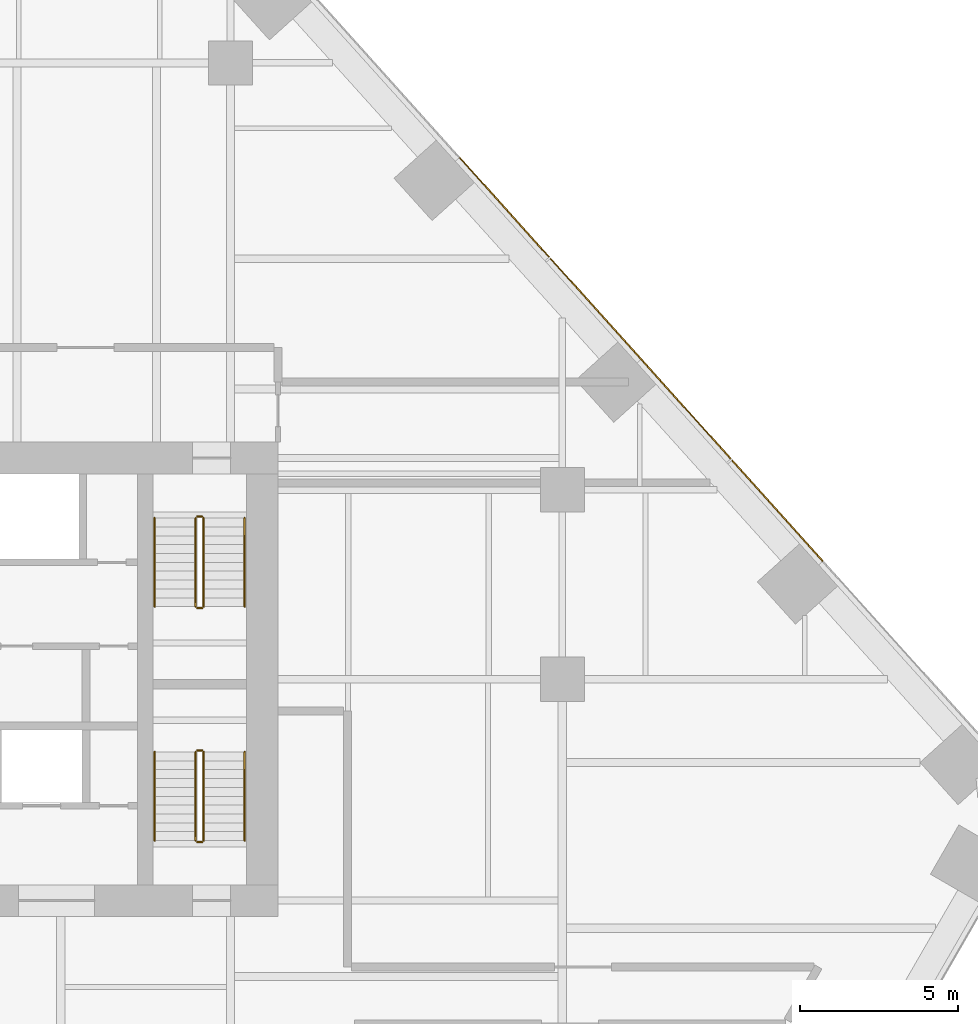
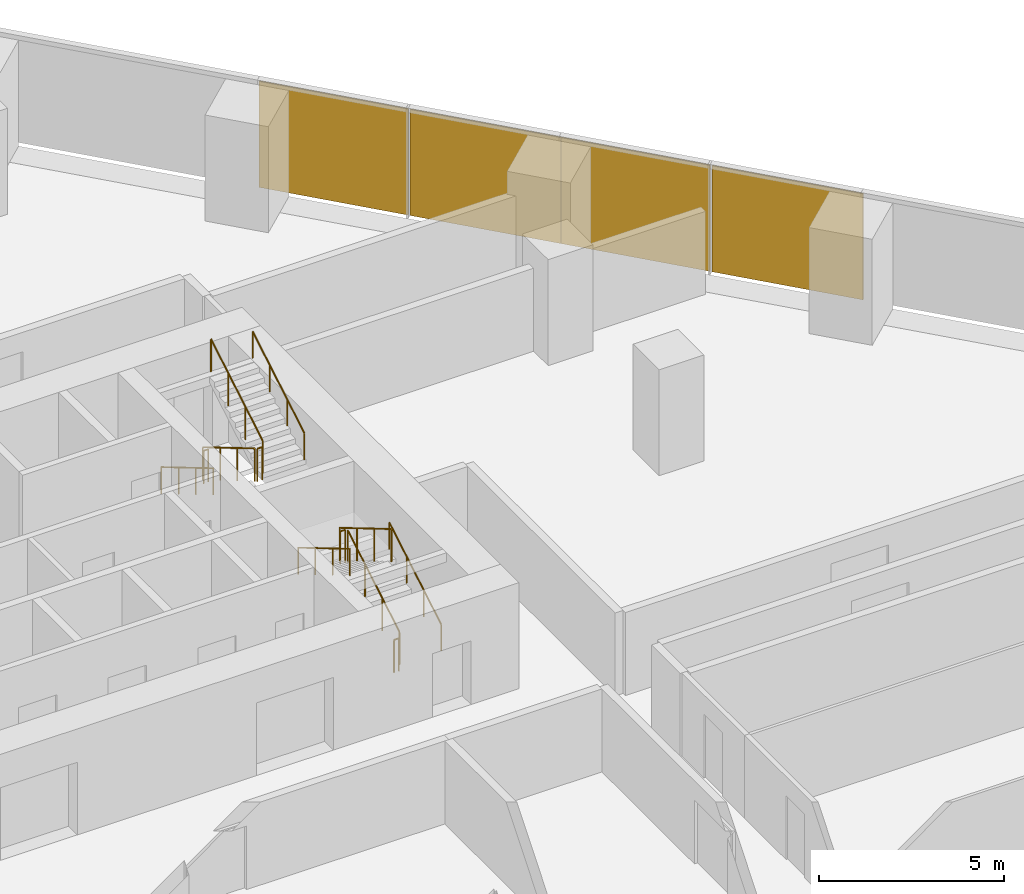
# One storey, part 20 of 20: 12 railings, 4 coverings, 1 element without a shape of its own.
"""IFC4 building model written with IfcOpenShell, lengths in metres."""

from ifc_helpers import new_model, si_unit, direction, frame, origin, origin_2d, place, context, subcontext, project, spatial, rectangle, circle, extrude, material, layer, layer_set, type_object, element, aggregate, save


model = new_model("IFC4")

# Units and contexts
model_context = context("Model", 3, precision=1e-05, world=origin(), true_north=direction((0.0, 1.0)))
body_context = subcontext(model_context, "Body", "Model", "MODEL_VIEW")
ifc_project = project(units=[si_unit("LENGTHUNIT", "METRE"), si_unit("AREAUNIT", "SQUARE_METRE"), si_unit("VOLUMEUNIT", "CUBIC_METRE"), si_unit("PLANEANGLEUNIT", "RADIAN"), si_unit("MASSUNIT", "GRAM", prefix="KILO")], contexts=[model_context])

# Site, building, storey
site_placement = place(None, origin())
site = spatial("IfcSite", under=ifc_project, at=site_placement, CompositionType="ELEMENT")
building_placement = place(site_placement, origin())
building = spatial("IfcBuilding", under=site, at=building_placement, Name="Isthmus Gate Tower", CompositionType="ELEMENT")
storey_placement = place(building_placement, frame((0.0, 0.0, 61.550048828125)))
storey = spatial("IfcBuildingStorey", under=building, at=storey_placement, Name="L13", CompositionType="ELEMENT", Elevation=61.550048828125)

# Curtain wall, coverings
ifc_material_1 = material(Name="Aluminium, pale champagne anodised", Category="aluminium")
ifc_layer_1 = layer(ifc_material_1, 0.199951171875)
ifc_layer_set_1 = layer_set([ifc_layer_1], Name="CW-1 UNITISED CURTAIN WALL 200 DEEP")
curtain_wall_type = type_object("IfcCurtainWallType", Name="CW-1 UNITISED CURTAIN WALL 200 DEEP", PredefinedType="NOTDEFINED", material=ifc_layer_set_1)
curtain_wall_placement = place(storey_placement, origin())
curtain_wall = element("IfcCurtainWall", 1, at=curtain_wall_placement, inside=storey, type_object=curtain_wall_type, Name="CW-1 NE L13", PredefinedType="NOTDEFINED")
ifc_material_2 = material(Name="Aluminium composite panel, pale champagne anodised", Category="aluminium")
ifc_layer_2 = layer(ifc_material_2, 0.0400390625)
ifc_layer_set_2 = layer_set([ifc_layer_2], Name="CW-1 PALE METAL PANEL 40")
covering_type = type_object("IfcCoveringType", Name="CW-1 PALE METAL PANEL 40", PredefinedType="CLADDING", material=ifc_layer_set_2)
covering_1_placement = place(storey_placement, frame((30.80419921875, 12.835693359375, 0.0), z_axis=(0.0, 0.0, 1.0), x_axis=(-0.669130606359, 0.743144825477, 0.0)))
covering_1 = element("IfcCovering", 2, at=covering_1_placement, type_object=covering_type, Name="CW-1 pale metal panel", PredefinedType="CLADDING", context=body_context, shape_type="SweptSolid", body=[
    extrude(rectangle(XDim=4.294677734375, YDim=0.0400390625, at=origin_2d()), origin(), (0.0, 0.0, 1.0), 3.5),
])
covering_2_placement = place(storey_placement, frame((27.910400390625, 16.049560546875, 0.0), z_axis=(0.0, 0.0, 1.0), x_axis=(-0.669130606359, 0.743144825477, 0.0)))
covering_2 = element("IfcCovering", 3, at=covering_2_placement, type_object=covering_type, Name="CW-1 pale metal panel", PredefinedType="CLADDING", context=body_context, shape_type="SweptSolid", body=[
    extrude(rectangle(XDim=4.234619140625, YDim=0.0400390625, at=origin_2d()), origin(), (0.0, 0.0, 1.0), 3.5),
])
covering_3_placement = place(storey_placement, frame((25.056884765625, 19.21875, 0.0), z_axis=(0.0, 0.0, 1.0), x_axis=(-0.669130606359, 0.743144825477, 0.0)))
covering_3 = element("IfcCovering", 4, at=covering_3_placement, type_object=covering_type, Name="CW-1 pale metal panel", PredefinedType="CLADDING", context=body_context, shape_type="SweptSolid", body=[
    extrude(rectangle(XDim=4.294677734375, YDim=0.0400390625, at=origin_2d()), origin(), (0.0, 0.0, 1.0), 3.5),
])
covering_4_placement = place(storey_placement, frame((22.1630859375, 22.4326171875, 0.0), z_axis=(0.0, 0.0, 1.0), x_axis=(-0.669130606359, 0.743144825477, 0.0)))
covering_4 = element("IfcCovering", 5, at=covering_4_placement, type_object=covering_type, Name="CW-1 pale metal panel", PredefinedType="CLADDING", context=body_context, shape_type="SweptSolid", body=[
    extrude(rectangle(XDim=4.234619140625, YDim=0.0400390625, at=origin_2d()), origin(), (0.0, 0.0, 1.0), 3.5),
])
aggregate(curtain_wall, [covering_1, covering_2, covering_3, covering_4])

# Railings
ifc_material_3 = material(Name="Stainless steel balustrade", Category="steel")
railing_type_1 = type_object("IfcRailingType", Name="STAIR GUARD 1100", PredefinedType="GUARDRAIL", material=ifc_material_3)
railing_1_placement = place(storey_placement, frame((12.39990234375, 12.60009765625, 0.165771484375)))
element("IfcRailing", 6, at=railing_1_placement, inside=storey, type_object=railing_type_1, Name="L13 ST2 stair guard 1", PredefinedType="GUARDRAIL", context=body_context, shape_type="SweptSolid", body=[
    extrude(circle(Radius=0.02392578125, at=origin_2d()), frame((0.0, 0.0, 1.076171875), z_axis=(0.0, -0.860306154799, 0.50977771628), x_axis=(1.0, 0.0, 0.0)), (0.0, 0.0, 1.0), 3.254638671875),
    extrude(circle(Radius=0.02099609375, at=origin_2d()), origin(), (0.0, 0.0, 1.0), 1.052001953125),
    extrude(circle(Radius=0.02099609375, at=origin_2d()), frame((0.0, -0.933349609375, 0.552978515625)), (0.0, 0.0, 1.0), 1.052001953125),
    extrude(circle(Radius=0.02099609375, at=origin_2d()), frame((0.0, -1.86669921875, 1.106201171875)), (0.0, 0.0, 1.0), 1.052001953125),
    extrude(circle(Radius=0.02099609375, at=origin_2d()), frame((0.0, -2.800048828125, 1.6591796875)), (0.0, 0.0, 1.0), 1.052001953125),
])
railing_2_placement = place(storey_placement, frame((12.449951171875, 9.75, 1.824951171875)))
element("IfcRailing", 7, at=railing_2_placement, inside=storey, type_object=railing_type_1, Name="L13 ST2 stair guard 2", PredefinedType="GUARDRAIL", context=body_context, shape_type="SweptSolid", body=[
    extrude(circle(Radius=0.02392578125, at=origin_2d()), frame((0.0, 0.0, 1.076171875), z_axis=(1.0, 0.0, 0.0), x_axis=(0.0, 1.0, 0.0)), (0.0, 0.0, 1.0), 0.150146484375),
    extrude(circle(Radius=0.02099609375, at=origin_2d()), origin(), (0.0, 0.0, 1.0), 1.052001953125),
    extrude(circle(Radius=0.02099609375, at=origin_2d()), frame((0.150146484375, 0.0, 0.0)), (0.0, 0.0, 1.0), 1.052001953125),
])
railing_3_placement = place(storey_placement, frame((12.64990234375, 9.800048828125, 1.990966796875)))
element("IfcRailing", 8, at=railing_3_placement, inside=storey, type_object=railing_type_1, Name="L13 ST2 stair guard 3", PredefinedType="GUARDRAIL", context=body_context, shape_type="SweptSolid", body=[
    extrude(circle(Radius=0.02392578125, at=origin_2d()), frame((0.0, 0.0, 1.076171875), z_axis=(0.0, 0.860339051648, 0.50972219513), x_axis=(-1.0, 0.0, 0.0)), (0.0, 0.0, 1.0), 3.254638671875),
    extrude(circle(Radius=0.02099609375, at=origin_2d()), origin(), (0.0, 0.0, 1.0), 1.052001953125),
    extrude(circle(Radius=0.02099609375, at=origin_2d()), frame((0.0, 0.933349609375, 0.552978515625)), (0.0, 0.0, 1.0), 1.052001953125),
    extrude(circle(Radius=0.02099609375, at=origin_2d()), frame((0.0, 1.86669921875, 1.10595703125)), (0.0, 0.0, 1.0), 1.052001953125),
    extrude(circle(Radius=0.02099609375, at=origin_2d()), frame((0.0, 2.800048828125, 1.658935546875)), (0.0, 0.0, 1.0), 1.052001953125),
])
railing_4_placement = place(storey_placement, frame((12.449951171875, 12.64990234375, 0.0)))
element("IfcRailing", 9, at=railing_4_placement, inside=storey, type_object=railing_type_1, Name="L13 ST2 stair guard 4", PredefinedType="GUARDRAIL", context=body_context, shape_type="SweptSolid", body=[
    extrude(circle(Radius=0.02392578125, at=origin_2d()), frame((0.0, 0.0, 1.076171875), z_axis=(1.0, 0.0, 0.0), x_axis=(0.0, 1.0, 0.0)), (0.0, 0.0, 1.0), 0.150146484375),
    extrude(circle(Radius=0.02099609375, at=origin_2d()), origin(), (0.0, 0.0, 1.0), 1.052001953125),
    extrude(circle(Radius=0.02099609375, at=origin_2d()), frame((0.150146484375, 0.0, 0.0)), (0.0, 0.0, 1.0), 1.052001953125),
])
railing_5_placement = place(storey_placement, frame((12.64990234375, 2.39990234375, 0.165771484375)))
element("IfcRailing", 10, at=railing_5_placement, inside=storey, type_object=railing_type_1, Name="L13 ST8 stair guard 1", PredefinedType="GUARDRAIL", context=body_context, shape_type="SweptSolid", body=[
    extrude(circle(Radius=0.02392578125, at=origin_2d()), frame((0.0, 0.0, 1.076171875), z_axis=(0.0, 0.860306154799, 0.50977771628), x_axis=(-1.0, 0.0, 0.0)), (0.0, 0.0, 1.0), 3.254638671875),
    extrude(circle(Radius=0.02099609375, at=origin_2d()), origin(), (0.0, 0.0, 1.0), 1.052001953125),
    extrude(circle(Radius=0.02099609375, at=origin_2d()), frame((0.0, 0.933349609375, 0.552978515625)), (0.0, 0.0, 1.0), 1.052001953125),
    extrude(circle(Radius=0.02099609375, at=origin_2d()), frame((0.0, 1.86669921875, 1.106201171875)), (0.0, 0.0, 1.0), 1.052001953125),
    extrude(circle(Radius=0.02099609375, at=origin_2d()), frame((0.0, 2.800048828125, 1.6591796875)), (0.0, 0.0, 1.0), 1.052001953125),
])
railing_6_placement = place(storey_placement, frame((12.60009765625, 5.25, 1.824951171875)))
element("IfcRailing", 11, at=railing_6_placement, inside=storey, type_object=railing_type_1, Name="L13 ST8 stair guard 2", PredefinedType="GUARDRAIL", context=body_context, shape_type="SweptSolid", body=[
    extrude(circle(Radius=0.02392578125, at=origin_2d()), frame((0.0, 0.0, 1.076171875), z_axis=(-1.0, 0.0, 0.0), x_axis=(0.0, -1.0, 0.0)), (0.0, 0.0, 1.0), 0.150146484375),
    extrude(circle(Radius=0.02099609375, at=origin_2d()), origin(), (0.0, 0.0, 1.0), 1.052001953125),
    extrude(circle(Radius=0.02099609375, at=origin_2d()), frame((-0.150146484375, 0.0, 0.0)), (0.0, 0.0, 1.0), 1.052001953125),
])
railing_7_placement = place(storey_placement, frame((12.39990234375, 5.199951171875, 1.990966796875)))
element("IfcRailing", 12, at=railing_7_placement, inside=storey, type_object=railing_type_1, Name="L13 ST8 stair guard 3", PredefinedType="GUARDRAIL", context=body_context, shape_type="SweptSolid", body=[
    extrude(circle(Radius=0.02392578125, at=origin_2d()), frame((0.0, 0.0, 1.076171875), z_axis=(0.0, -0.860339051648, 0.50972219513), x_axis=(1.0, 0.0, 0.0)), (0.0, 0.0, 1.0), 3.254638671875),
    extrude(circle(Radius=0.02099609375, at=origin_2d()), origin(), (0.0, 0.0, 1.0), 1.052001953125),
    extrude(circle(Radius=0.02099609375, at=origin_2d()), frame((0.0, -0.933349609375, 0.552978515625)), (0.0, 0.0, 1.0), 1.052001953125),
    extrude(circle(Radius=0.02099609375, at=origin_2d()), frame((0.0, -1.86669921875, 1.10595703125)), (0.0, 0.0, 1.0), 1.052001953125),
    extrude(circle(Radius=0.02099609375, at=origin_2d()), frame((0.0, -2.800048828125, 1.658935546875)), (0.0, 0.0, 1.0), 1.052001953125),
])
railing_8_placement = place(storey_placement, frame((12.60009765625, 2.35009765625, 0.0)))
element("IfcRailing", 13, at=railing_8_placement, inside=storey, type_object=railing_type_1, Name="L13 ST8 stair guard 4", PredefinedType="GUARDRAIL", context=body_context, shape_type="SweptSolid", body=[
    extrude(circle(Radius=0.02392578125, at=origin_2d()), frame((0.0, 0.0, 1.076171875), z_axis=(-1.0, 0.0, 0.0), x_axis=(0.0, -1.0, 0.0)), (0.0, 0.0, 1.0), 0.150146484375),
    extrude(circle(Radius=0.02099609375, at=origin_2d()), origin(), (0.0, 0.0, 1.0), 1.052001953125),
    extrude(circle(Radius=0.02099609375, at=origin_2d()), frame((-0.150146484375, 0.0, 0.0)), (0.0, 0.0, 1.0), 1.052001953125),
])
ifc_material_4 = material(Name="Stainless steel handrail", Category="steel")
railing_type_2 = type_object("IfcRailingType", Name="STAIR HANDRAIL 900", PredefinedType="HANDRAIL", material=ifc_material_4)
railing_9_placement = place(storey_placement, frame((11.10009765625, 12.60009765625, 0.165771484375)))
element("IfcRailing", 14, at=railing_9_placement, inside=storey, type_object=railing_type_2, Name="L13 ST2 stair handrail 1", PredefinedType="HANDRAIL", context=body_context, shape_type="SweptSolid", body=[
    extrude(circle(Radius=0.02392578125, at=origin_2d()), frame((0.0, 0.0, 0.8759765625), z_axis=(0.0, -0.860306154799, 0.50977771628), x_axis=(1.0, 0.0, 0.0)), (0.0, 0.0, 1.0), 3.254638671875),
    extrude(circle(Radius=0.02099609375, at=origin_2d()), origin(), (0.0, 0.0, 1.0), 0.851806640625),
    extrude(circle(Radius=0.02099609375, at=origin_2d()), frame((0.0, -0.933349609375, 0.552978515625)), (0.0, 0.0, 1.0), 0.851806640625),
    extrude(circle(Radius=0.02099609375, at=origin_2d()), frame((0.0, -1.86669921875, 1.106201171875)), (0.0, 0.0, 1.0), 0.851806640625),
    extrude(circle(Radius=0.02099609375, at=origin_2d()), frame((0.0, -2.800048828125, 1.6591796875)), (0.0, 0.0, 1.0), 0.851806640625),
])
railing_10_placement = place(storey_placement, frame((13.949951171875, 9.800048828125, 1.990966796875)))
element("IfcRailing", 15, at=railing_10_placement, inside=storey, type_object=railing_type_2, Name="L13 ST2 stair handrail 2", PredefinedType="HANDRAIL", context=body_context, shape_type="SweptSolid", body=[
    extrude(circle(Radius=0.02392578125, at=origin_2d()), frame((0.0, 0.0, 0.8759765625), z_axis=(0.0, 0.860339051648, 0.50972219513), x_axis=(-1.0, 0.0, 0.0)), (0.0, 0.0, 1.0), 3.254638671875),
    extrude(circle(Radius=0.02099609375, at=origin_2d()), origin(), (0.0, 0.0, 1.0), 0.851806640625),
    extrude(circle(Radius=0.02099609375, at=origin_2d()), frame((0.0, 0.933349609375, 0.552978515625)), (0.0, 0.0, 1.0), 0.851806640625),
    extrude(circle(Radius=0.02099609375, at=origin_2d()), frame((0.0, 1.86669921875, 1.10595703125)), (0.0, 0.0, 1.0), 0.851806640625),
    extrude(circle(Radius=0.02099609375, at=origin_2d()), frame((0.0, 2.800048828125, 1.658935546875)), (0.0, 0.0, 1.0), 0.851806640625),
])
railing_11_placement = place(storey_placement, frame((13.949951171875, 2.39990234375, 0.165771484375)))
element("IfcRailing", 16, at=railing_11_placement, inside=storey, type_object=railing_type_2, Name="L13 ST8 stair handrail 1", PredefinedType="HANDRAIL", context=body_context, shape_type="SweptSolid", body=[
    extrude(circle(Radius=0.02392578125, at=origin_2d()), frame((0.0, 0.0, 0.8759765625), z_axis=(0.0, 0.860306154799, 0.50977771628), x_axis=(-1.0, 0.0, 0.0)), (0.0, 0.0, 1.0), 3.254638671875),
    extrude(circle(Radius=0.02099609375, at=origin_2d()), origin(), (0.0, 0.0, 1.0), 0.851806640625),
    extrude(circle(Radius=0.02099609375, at=origin_2d()), frame((0.0, 0.933349609375, 0.552978515625)), (0.0, 0.0, 1.0), 0.851806640625),
    extrude(circle(Radius=0.02099609375, at=origin_2d()), frame((0.0, 1.86669921875, 1.106201171875)), (0.0, 0.0, 1.0), 0.851806640625),
    extrude(circle(Radius=0.02099609375, at=origin_2d()), frame((0.0, 2.800048828125, 1.6591796875)), (0.0, 0.0, 1.0), 0.851806640625),
])
railing_12_placement = place(storey_placement, frame((11.10009765625, 5.199951171875, 1.990966796875)))
element("IfcRailing", 17, at=railing_12_placement, inside=storey, type_object=railing_type_2, Name="L13 ST8 stair handrail 2", PredefinedType="HANDRAIL", context=body_context, shape_type="SweptSolid", body=[
    extrude(circle(Radius=0.02392578125, at=origin_2d()), frame((0.0, 0.0, 0.8759765625), z_axis=(0.0, -0.860339051648, 0.50972219513), x_axis=(1.0, 0.0, 0.0)), (0.0, 0.0, 1.0), 3.254638671875),
    extrude(circle(Radius=0.02099609375, at=origin_2d()), origin(), (0.0, 0.0, 1.0), 0.851806640625),
    extrude(circle(Radius=0.02099609375, at=origin_2d()), frame((0.0, -0.933349609375, 0.552978515625)), (0.0, 0.0, 1.0), 0.851806640625),
    extrude(circle(Radius=0.02099609375, at=origin_2d()), frame((0.0, -1.86669921875, 1.10595703125)), (0.0, 0.0, 1.0), 0.851806640625),
    extrude(circle(Radius=0.02099609375, at=origin_2d()), frame((0.0, -2.800048828125, 1.658935546875)), (0.0, 0.0, 1.0), 0.851806640625),
])

save(model, "model.ifc")
